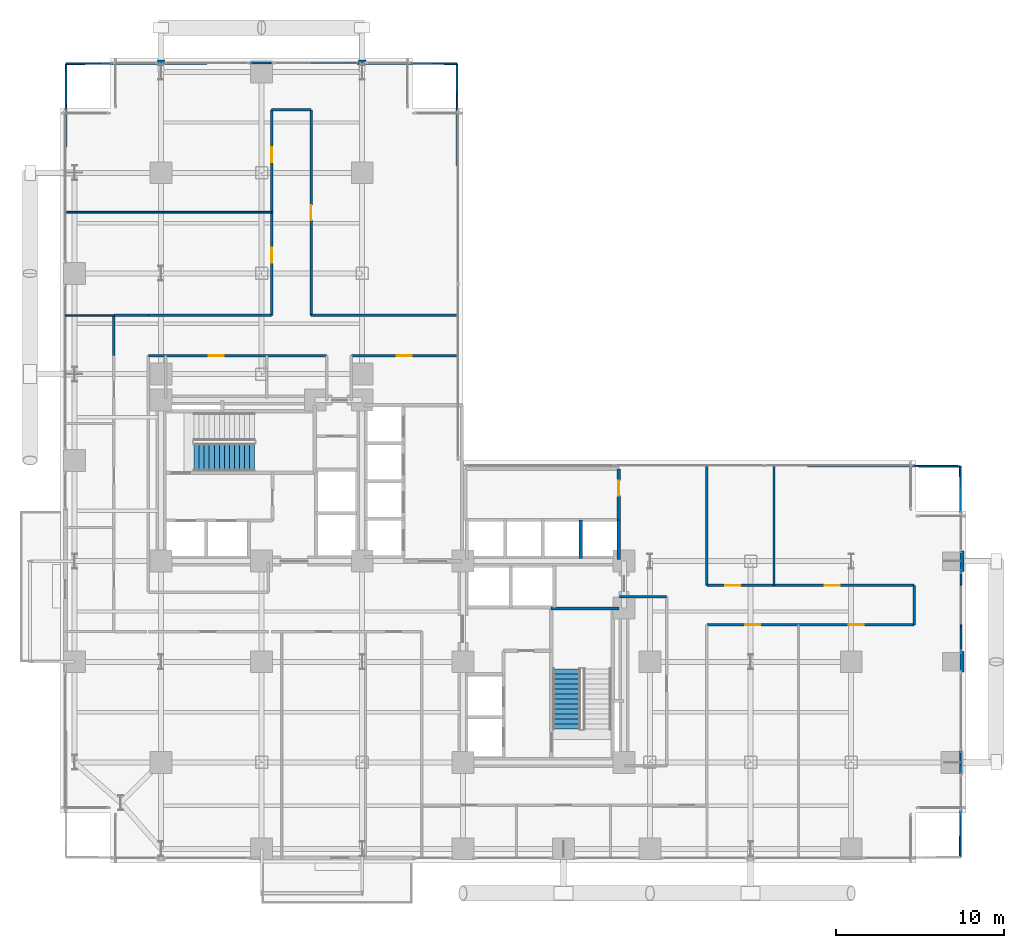
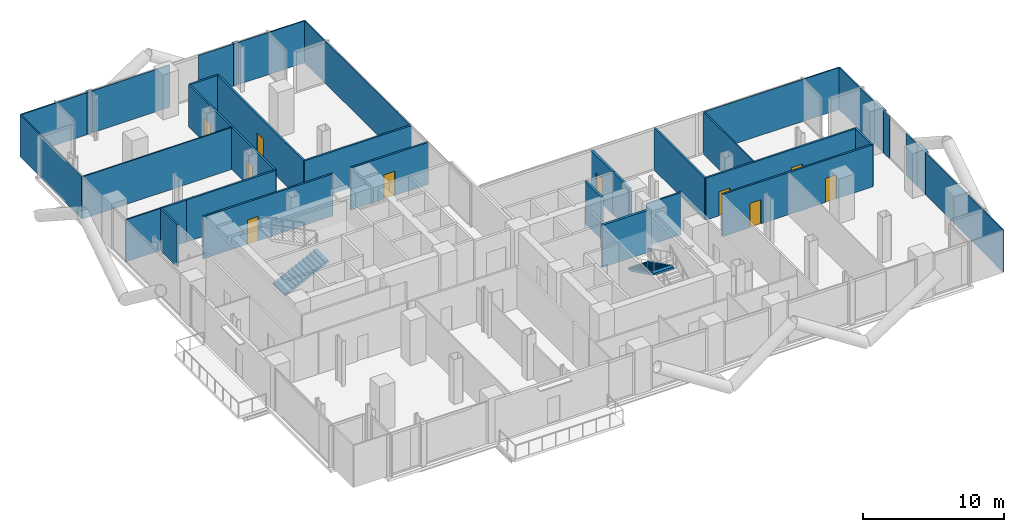
# One storey, part 22 of 25: 36 walls, 10 doors, 2 stair flights, 10 openings, 2 elements without a shape of their own.
"""IFC4 building model written with IfcOpenShell, lengths in metres."""

from ifc_helpers import new_model, si_unit, direction, frame, frame_2d, origin, place, context, subcontext, project, spatial, polyline, rectangle, outline, extrude, material, layer, layer_set, type_object, element, fill, aggregate, save


model = new_model("IFC4")

# Units and contexts
model_context = context("Model", 3, precision=1e-05, world=origin(), true_north=direction((0.0, 1.0)))
body_context = subcontext(model_context, "Body", "Model", "MODEL_VIEW")
ifc_project = project(units=[si_unit("LENGTHUNIT", "METRE"), si_unit("AREAUNIT", "SQUARE_METRE"), si_unit("VOLUMEUNIT", "CUBIC_METRE"), si_unit("PLANEANGLEUNIT", "RADIAN"), si_unit("MASSUNIT", "GRAM", prefix="KILO"), si_unit("THERMODYNAMICTEMPERATUREUNIT", "KELVIN"), si_unit("POWERUNIT", "WATT")], contexts=[model_context])

# Site, building, storey
site_placement = place(None, origin())
site = spatial("IfcSite", under=ifc_project, at=site_placement, CompositionType="ELEMENT")
building_placement = place(site_placement, origin())
building = spatial("IfcBuilding", under=site, at=building_placement, Name="Svarakhadi Broadcast Tower", CompositionType="ELEMENT")
storey_placement = place(building_placement, frame((0.0, 0.0, 32.39990234375)))
storey = spatial("IfcBuildingStorey", under=building, at=storey_placement, Name="L06", CompositionType="ELEMENT", Elevation=32.39990234375)

# Walls
ifc_material_1 = material(Name="Concrete C40/50 (IS 456 M50)", Category="concrete")
ifc_layer_1 = layer(ifc_material_1, 0.239990234375)
ifc_layer_set_1 = layer_set([ifc_layer_1], Name="Concrete C40/50 (IS 456 M50)")
wall_type_1 = type_object("IfcWallType", Name="Wall_Ext_240", PredefinedType="SOLIDWALL", material=ifc_layer_set_1)
for number, where, z_axis, x_axis, name in (
    (1, (5.784912109375, 47.760009765625, 0.0), (0.0, 0.0, 1.0), (1.0, 0.0, 0.0), "L06 Perimeter Bronze Spandrel Closure Wall 01"),
    (2, (17.784912109375, 47.760009765625, 0.0), (0.0, 0.0, 1.0), (1.0, 0.0, 0.0), "L06 Perimeter Bronze Spandrel Closure Wall 02"),
):
    element("IfcWall", number, at=place(storey_placement, frame(where, z_axis=z_axis, x_axis=x_axis)), inside=storey, type_object=wall_type_1, Name=name, PredefinedType="SOLIDWALL", context=body_context, shape_type="SweptSolid", body=[
        extrude(rectangle(XDim=0.43017578125, YDim=0.239990234375, at=frame_2d((0.215087890625, 0.0))), origin(), (0.0, 0.0, 1.0), 3.650146484375),
    ])
for number, where, z_axis, x_axis, name in (
    (3, (53.760009765625, 18.614990234375, 0.0), (0.0, 0.0, 1.0), (0.0, -1.0, 0.0), "L06 Perimeter Bronze Spandrel Closure Wall 03"),
    (4, (53.760009765625, 12.614990234375, 0.0), (0.0, 0.0, 1.0), (0.0, -1.0, 0.0), "L06 Perimeter Bronze Spandrel Closure Wall 04"),
):
    element("IfcWall", number, at=place(storey_placement, frame(where, z_axis=z_axis, x_axis=x_axis)), inside=storey, type_object=wall_type_1, Name=name, PredefinedType="SOLIDWALL", context=body_context, shape_type="SweptSolid", body=[
        extrude(rectangle(XDim=1.22998046875, YDim=0.239990234375, at=frame_2d((0.614990234375, 0.0))), origin(), (0.0, 0.0, 1.0), 3.650146484375),
    ])
ifc_material_2 = material(Name="Fire-Rated Moisture-Resistant Gypsum Board Partition", Category="gypsum")
ifc_layer_2 = layer(ifc_material_2, 0.10009765625)
ifc_layer_set_2 = layer_set([ifc_layer_2], Name="Fire-Rated Moisture-Resistant Gypsum Board Partition")
wall_type_2 = type_object("IfcWallType", Name="Wall_Part_100", PredefinedType="PARTITIONING", material=ifc_layer_set_2)
wall_1_placement = place(storey_placement, frame((53.64990234375, 0.35009765625, 0.0), z_axis=(0.0, 0.0, 1.0), x_axis=(0.003606251025, 0.999993497456, 0.0)))
element("IfcWall", 5, at=wall_1_placement, inside=storey, type_object=wall_type_2, Name="L06 Wire Service Server Room Wall", PredefinedType="PARTITIONING", context=body_context, shape_type="SweptSolid", body=[
    extrude(rectangle(XDim=11.034912109375, YDim=0.10009765625, at=frame_2d((5.517578125, 0.0))), origin(), (0.0, 0.0, 1.0), 3.650146484375),
])
wall_2_placement = place(storey_placement, frame((53.6943359375, 12.614990234375, 0.0), z_axis=(0.0, 0.0, 1.0), x_axis=(0.003542799701, 0.999993724265, 0.0)))
element("IfcWall", 6, at=wall_2_placement, inside=storey, type_object=wall_type_2, Name="L06 Wire Service Server Room Wall", PredefinedType="PARTITIONING", context=body_context, shape_type="SweptSolid", body=[
    extrude(rectangle(XDim=1.5849609375, YDim=0.10009765625, at=frame_2d((0.79248046875, 0.0))), origin(), (0.0, 0.0, 1.0), 3.650146484375),
])
wall_3_placement = place(storey_placement, frame((42.550048828125, 16.550048828125, 0.0), z_axis=(0.0, 0.0, 1.0), x_axis=(0.0, 1.0, 0.0)))
element("IfcWall", 7, at=wall_3_placement, inside=storey, type_object=wall_type_2, Name="L06 Broadcast Acoustic Booth Wall", PredefinedType="PARTITIONING", context=body_context, shape_type="SweptSolid", body=[
    extrude(rectangle(XDim=7.14990234375, YDim=0.10009765625, at=frame_2d((3.574951171875, 0.0))), origin(), (0.0, 0.0, 1.0), 3.650146484375),
])
wall_4_placement = place(storey_placement, frame((42.550048828125, 23.699951171875, 0.0), z_axis=(0.0, 0.0, 1.0), x_axis=(0.999989834782, -0.004508917104, 0.0)))
element("IfcWall", 8, at=wall_4_placement, inside=storey, type_object=wall_type_2, Name="L06 Broadcast Equipment Operations Room Wall", PredefinedType="PARTITIONING", context=body_context, shape_type="SweptSolid", body=[
    extrude(rectangle(XDim=11.099853515625, YDim=0.10009765625, at=frame_2d((5.5498046875, 0.0))), origin(), (0.0, 0.0, 1.0), 3.650146484375),
])
wall_5_placement = place(storey_placement, frame((53.699951171875, 16.550048828125, 0.0), z_axis=(0.0, 0.0, 1.0), x_axis=(-0.007017371073, 0.999975377948, 0.0)))
element("IfcWall", 9, at=wall_5_placement, inside=storey, type_object=wall_type_2, Name="L06 Broadcast Equipment Operations Room Wall", PredefinedType="PARTITIONING", context=body_context, shape_type="SweptSolid", body=[
    extrude(rectangle(XDim=0.8349609375, YDim=0.10009765625, at=frame_2d((0.41748046875, 0.0))), origin(), (0.0, 0.0, 1.0), 3.650146484375),
])
wall_6_placement = place(storey_placement, frame((53.685546875, 18.614990234375, 0.0), z_axis=(0.0, 0.0, 1.0), x_axis=(-0.007079296972, 0.999974941463, 0.0)))
element("IfcWall", 10, at=wall_6_placement, inside=storey, type_object=wall_type_2, Name="L06 Broadcast Equipment Operations Room Wall", PredefinedType="PARTITIONING", context=body_context, shape_type="SweptSolid", body=[
    extrude(rectangle(XDim=5.03515625, YDim=0.10009765625, at=frame_2d((2.517578125, 0.0))), origin(), (0.0, 0.0, 1.0), 3.650146484375),
])
wall_7_placement = place(storey_placement, frame((0.300048828125, 38.800048828125, 0.0), z_axis=(0.0, 0.0, 1.0), x_axis=(1.0, 0.0, 0.0)))
element("IfcWall", 11, at=wall_7_placement, inside=storey, type_object=wall_type_2, Name="L06 Investigative Journalism Office Wall", PredefinedType="PARTITIONING", context=body_context, shape_type="SweptSolid", body=[
    extrude(rectangle(XDim=12.300048828125, YDim=0.10009765625, at=frame_2d((6.14990234375, 0.0))), origin(), (0.0, 0.0, 1.0), 3.650146484375),
])
wall_8_placement = place(storey_placement, frame((0.35009765625, 47.64990234375, 0.0), z_axis=(0.0, 0.0, 1.0), x_axis=(0.999991644778, 0.004087832518, 0.0)))
element("IfcWall", 12, at=wall_8_placement, inside=storey, type_object=wall_type_2, Name="L06 Investigative Research Office Wall", PredefinedType="PARTITIONING", context=body_context, shape_type="SweptSolid", body=[
    extrude(rectangle(XDim=5.434814453125, YDim=0.10009765625, at=frame_2d((2.71728515625, 0.0))), origin(), (0.0, 0.0, 1.0), 3.650146484375),
])
wall_9_placement = place(storey_placement, frame((6.215087890625, 47.673828125, 0.0), z_axis=(0.0, 0.0, 1.0), x_axis=(0.999991630701, 0.004091274595, 0.0)))
element("IfcWall", 13, at=wall_9_placement, inside=storey, type_object=wall_type_2, Name="L06 Investigative Research Office Wall", PredefinedType="PARTITIONING", context=body_context, shape_type="SweptSolid", body=[
    extrude(rectangle(XDim=6.385009765625, YDim=0.10009765625, at=frame_2d((3.1923828125, 0.0))), origin(), (0.0, 0.0, 1.0), 3.650146484375),
])
wall_10_placement = place(storey_placement, frame((0.300048828125, 38.800048828125, 0.0), z_axis=(0.0, 0.0, 1.0), x_axis=(0.005655237989, 0.999984009014, 0.0)))
element("IfcWall", 14, at=wall_10_placement, inside=storey, type_object=wall_type_2, Name="L06 Investigative Research Office Wall", PredefinedType="PARTITIONING", context=body_context, shape_type="SweptSolid", body=[
    extrude(rectangle(XDim=8.85009765625, YDim=0.10009765625, at=frame_2d((4.425048828125, 0.0))), origin(), (0.0, 0.0, 1.0), 3.650146484375),
])
wall_11_placement = place(storey_placement, frame((14.949951171875, 47.699951171875, 0.0), z_axis=(0.0, 0.0, 1.0), x_axis=(0.999983354582, -0.005769797172, 0.0)))
element("IfcWall", 15, at=wall_11_placement, inside=storey, type_object=wall_type_2, Name="L06 Broadcast Assignment Hub Wall", PredefinedType="PARTITIONING", context=body_context, shape_type="SweptSolid", body=[
    extrude(rectangle(XDim=2.8349609375, YDim=0.10009765625, at=frame_2d((1.41748046875, 0.0))), origin(), (0.0, 0.0, 1.0), 3.650146484375),
])
wall_12_placement = place(storey_placement, frame((18.215087890625, 47.68115234375, 0.0), z_axis=(0.0, 0.0, 1.0), x_axis=(0.999983469354, -0.005749871258, 0.0)))
element("IfcWall", 16, at=wall_12_placement, inside=storey, type_object=wall_type_2, Name="L06 Broadcast Assignment Hub Wall", PredefinedType="PARTITIONING", context=body_context, shape_type="SweptSolid", body=[
    extrude(rectangle(XDim=5.434814453125, YDim=0.10009765625, at=frame_2d((2.71728515625, 0.0))), origin(), (0.0, 0.0, 1.0), 3.650146484375),
])
wall_13_placement = place(storey_placement, frame((23.699951171875, 32.64990234375, 0.0), z_axis=(0.0, 0.0, 1.0), x_axis=(-0.003336569969, 0.999994433635, 0.0)))
element("IfcWall", 17, at=wall_13_placement, inside=storey, type_object=wall_type_2, Name="L06 Broadcast Assignment Hub Wall", PredefinedType="PARTITIONING", context=body_context, shape_type="SweptSolid", body=[
    extrude(rectangle(XDim=15.0, YDim=0.10009765625, at=frame_2d((7.5, 0.0))), origin(), (0.0, 0.0, 1.0), 3.650146484375),
])
wall_14_placement = place(storey_placement, frame((0.300048828125, 32.64990234375, 0.0), z_axis=(0.0, 0.0, 1.0), x_axis=(1.0, 0.0, 0.0)))
element("IfcWall", 18, at=wall_14_placement, inside=storey, type_object=wall_type_2, Name="L06 Producer Quiet Lounge Wall", PredefinedType="PARTITIONING", context=body_context, shape_type="SweptSolid", body=[
    extrude(rectangle(XDim=2.89990234375, YDim=0.10009765625, at=frame_2d((1.449951171875, 0.0))), origin(), (0.0, 0.0, 1.0), 3.650146484375),
])
ifc_material_3 = material(Name="Autoclaved Aerated Concrete Blockwork 150 mm", Category="masonry")
ifc_layer_3 = layer(ifc_material_3, 0.14990234375)
ifc_layer_set_3 = layer_set([ifc_layer_3], Name="Autoclaved Aerated Concrete Blockwork 150 mm")
wall_type_3 = type_object("IfcWallType", Name="Wall_Part_150", PredefinedType="PARTITIONING", material=ifc_layer_set_3)
wall_15_placement = place(storey_placement, frame((36.14990234375, 15.8798828125, 0.0), z_axis=(0.0, 0.0, 1.0), x_axis=(-1.0, 0.0, 0.0)))
element("IfcWall", 19, at=wall_15_placement, inside=storey, type_object=wall_type_3, Name="L06 Broadcast Corridor Wall", PredefinedType="PARTITIONING", context=body_context, shape_type="SweptSolid", body=[
    extrude(rectangle(XDim=2.809814453125, YDim=0.14990234375, at=frame_2d((1.40478515625, 0.0))), origin(), (0.0, 0.0, 1.0), 3.650146484375),
])
wall_16_placement = place(storey_placement, frame((38.550048828125, 23.699951171875, 0.0), z_axis=(0.0, 0.0, 1.0), x_axis=(0.0, -1.0, 0.0)))
element("IfcWall", 20, at=wall_16_placement, inside=storey, type_object=wall_type_3, Name="L06 Broadcast Corridor Wall", PredefinedType="PARTITIONING", context=body_context, shape_type="SweptSolid", body=[
    extrude(rectangle(XDim=7.14990234375, YDim=0.14990234375, at=frame_2d((3.574951171875, 0.0))), origin(), (0.0, 0.0, 1.0), 3.650146484375),
])

# Wall, openings, doors
wall_17_placement = place(storey_placement, frame((38.550048828125, 16.550048828125, 0.0), z_axis=(0.0, 0.0, 1.0), x_axis=(1.0, 0.0, 0.0)))
wall_17 = element("IfcWall", 21, at=wall_17_placement, inside=storey, type_object=wall_type_3, Name="L06 Broadcast Corridor Wall", PredefinedType="PARTITIONING", context=body_context, shape_type="SweptSolid", body=[
    extrude(rectangle(XDim=12.349853515625, YDim=0.14990234375, at=frame_2d((6.1748046875, 0.0))), origin(), (0.0, 0.0, 1.0), 3.650146484375),
])
opening_1_placement = place(wall_17_placement, frame((1.080078125, 0.0, 0.0)))
opening_1 = element("IfcOpeningElement", 22, at=opening_1_placement, cuts=wall_17, Name="Opening D-15", PredefinedType="OPENING", context=body_context, shape_type="SweptSolid", body=[
    extrude(rectangle(XDim=0.89990234375, YDim=2.10009765625, at=frame_2d((0.449951171875, 1.050048828125))), frame((0.0, 0.0849609375, 0.0), z_axis=(0.0, -1.0, 0.0), x_axis=(1.0, 0.0, 0.0)), (0.0, 0.0, 1.0), 0.169921875),
])
opening_2_placement = place(wall_17_placement, frame((7.030029296875, 0.0, 0.0)))
opening_2 = element("IfcOpeningElement", 23, at=opening_2_placement, cuts=wall_17, Name="Opening D-14", PredefinedType="OPENING", context=body_context, shape_type="SweptSolid", body=[
    extrude(rectangle(XDim=0.89990234375, YDim=2.10009765625, at=frame_2d((0.449951171875, 1.050048828125))), frame((0.0, 0.0849609375, 0.0), z_axis=(0.0, -1.0, 0.0), x_axis=(1.0, 0.0, 0.0)), (0.0, 0.0, 1.0), 0.169921875),
])
ifc_material_4 = material(Name="Solid-Core Teak Veneer Acoustic Timber Leaf", Category="wood")
door_type_1 = type_object("IfcDoorType", Name="Door_Int_D14", OperationType="SINGLE_SWING_LEFT", PredefinedType="DOOR", material=ifc_material_4)
door_1_placement = place(opening_2_placement, origin())
door_1 = element("IfcDoor", 24, at=door_1_placement, inside=storey, type_object=door_type_1, Name="L06 Broadcast Equipment Operations Room Door", OperationType="SINGLE_SWING_LEFT", OverallHeight=2.10009765625, OverallWidth=0.89990234375, PredefinedType="DOOR", context=body_context, shape_type="SweptSolid", body=[
    extrude(rectangle(XDim=0.89990234375, YDim=2.10009765625, at=frame_2d((0.449951171875, 1.050048828125))), frame((0.0, 0.02490234375, 0.0), z_axis=(0.0, -1.0, 0.0), x_axis=(1.0, 0.0, 0.0)), (0.0, 0.0, 1.0), 0.050048828125),
])
fill(opening_2, door_1)
door_type_2 = type_object("IfcDoorType", Name="Door_Int_D15", OperationType="SINGLE_SWING_RIGHT", PredefinedType="DOOR", material=ifc_material_4)
door_2_placement = place(opening_1_placement, origin())
door_2 = element("IfcDoor", 25, at=door_2_placement, inside=storey, type_object=door_type_2, Name="L06 Broadcast Acoustic Booth Door", OperationType="SINGLE_SWING_RIGHT", OverallHeight=2.10009765625, OverallWidth=0.89990234375, PredefinedType="DOOR", context=body_context, shape_type="SweptSolid", body=[
    extrude(rectangle(XDim=0.89990234375, YDim=2.10009765625, at=frame_2d((0.449951171875, 1.050048828125))), frame((0.0, 0.02490234375, 0.0), z_axis=(0.0, -1.0, 0.0), x_axis=(1.0, 0.0, 0.0)), (0.0, 0.0, 1.0), 0.050048828125),
])
fill(opening_1, door_2)

# Wall
wall_18_placement = place(storey_placement, frame((50.89990234375, 16.550048828125, 0.0), z_axis=(0.0, 0.0, 1.0), x_axis=(0.0, -1.0, 0.0)))
element("IfcWall", 26, at=wall_18_placement, inside=storey, type_object=wall_type_3, Name="L06 Broadcast Corridor Wall", PredefinedType="PARTITIONING", context=body_context, shape_type="SweptSolid", body=[
    extrude(rectangle(XDim=2.35009765625, YDim=0.14990234375, at=frame_2d((1.175048828125, 0.0))), origin(), (0.0, 0.0, 1.0), 3.650146484375),
])

# Wall, openings, doors
wall_19_placement = place(storey_placement, frame((50.89990234375, 14.199951171875, 0.0), z_axis=(0.0, 0.0, 1.0), x_axis=(-1.0, 0.0, 0.0)))
wall_19 = element("IfcWall", 27, at=wall_19_placement, inside=storey, type_object=wall_type_3, Name="L06 Broadcast Corridor Wall", PredefinedType="PARTITIONING", context=body_context, shape_type="SweptSolid", body=[
    extrude(rectangle(XDim=12.349853515625, YDim=0.14990234375, at=frame_2d((6.1748046875, 0.0))), origin(), (0.0, 0.0, 1.0), 3.650146484375),
])
opening_3_placement = place(wall_19_placement, frame((9.175048828125, 0.0, 0.0)))
opening_3 = element("IfcOpeningElement", 28, at=opening_3_placement, cuts=wall_19, Name="Opening D-15", PredefinedType="OPENING", context=body_context, shape_type="SweptSolid", body=[
    extrude(rectangle(XDim=0.89990234375, YDim=2.10009765625, at=frame_2d((0.449951171875, 1.050048828125))), frame((0.0, 0.0849609375, 0.0), z_axis=(0.0, -1.0, 0.0), x_axis=(1.0, 0.0, 0.0)), (0.0, 0.0, 1.0), 0.169921875),
])
opening_4_placement = place(wall_19_placement, frame((3.0, 0.0, 0.0)))
opening_4 = element("IfcOpeningElement", 29, at=opening_4_placement, cuts=wall_19, Name="Opening D-14", PredefinedType="OPENING", context=body_context, shape_type="SweptSolid", body=[
    extrude(rectangle(XDim=0.89990234375, YDim=2.10009765625, at=frame_2d((0.449951171875, 1.050048828125))), frame((0.0, 0.0849609375, 0.0), z_axis=(0.0, -1.0, 0.0), x_axis=(1.0, 0.0, 0.0)), (0.0, 0.0, 1.0), 0.169921875),
])
door_3_placement = place(opening_4_placement, origin())
door_3 = element("IfcDoor", 30, at=door_3_placement, inside=storey, type_object=door_type_1, Name="L06 Wire Service Server Room Door", OperationType="SINGLE_SWING_LEFT", OverallHeight=2.10009765625, OverallWidth=0.89990234375, PredefinedType="DOOR", context=body_context, shape_type="SweptSolid", body=[
    extrude(rectangle(XDim=0.89990234375, YDim=2.10009765625, at=frame_2d((0.449951171875, 1.050048828125))), frame((0.0, 0.02490234375, 0.0), z_axis=(0.0, -1.0, 0.0), x_axis=(1.0, 0.0, 0.0)), (0.0, 0.0, 1.0), 0.050048828125),
])
fill(opening_4, door_3)
door_4_placement = place(opening_3_placement, origin())
door_4 = element("IfcDoor", 31, at=door_4_placement, inside=storey, type_object=door_type_2, Name="L06 Waterfront International News Desk Door", OperationType="SINGLE_SWING_RIGHT", OverallHeight=2.10009765625, OverallWidth=0.89990234375, PredefinedType="DOOR", context=body_context, shape_type="SweptSolid", body=[
    extrude(rectangle(XDim=0.89990234375, YDim=2.10009765625, at=frame_2d((0.449951171875, 1.050048828125))), frame((0.0, 0.02490234375, 0.0), z_axis=(0.0, -1.0, 0.0), x_axis=(1.0, 0.0, 0.0)), (0.0, 0.0, 1.0), 0.050048828125),
])
fill(opening_3, door_4)

# Walls
wall_20_placement = place(storey_placement, frame((3.199951171875, 30.25, 0.0), z_axis=(0.0, 0.0, 1.0), x_axis=(0.0, 1.0, 0.0)))
element("IfcWall", 32, at=wall_20_placement, inside=storey, type_object=wall_type_3, Name="L06 Broadcast Corridor Wall", PredefinedType="PARTITIONING", context=body_context, shape_type="SweptSolid", body=[
    extrude(rectangle(XDim=2.39990234375, YDim=0.14990234375, at=frame_2d((1.199951171875, 0.0))), origin(), (0.0, 0.0, 1.0), 3.650146484375),
])
wall_21_placement = place(storey_placement, frame((3.199951171875, 32.64990234375, 0.0), z_axis=(0.0, 0.0, 1.0), x_axis=(1.0, 0.0, 0.0)))
element("IfcWall", 33, at=wall_21_placement, inside=storey, type_object=wall_type_3, Name="L06 Broadcast Corridor Wall", PredefinedType="PARTITIONING", context=body_context, shape_type="SweptSolid", body=[
    extrude(rectangle(XDim=2.050048828125, YDim=0.14990234375, at=frame_2d((1.02490234375, 0.0))), origin(), (0.0, 0.0, 1.0), 3.650146484375),
])
wall_22_placement = place(storey_placement, frame((5.25, 32.64990234375, 0.0), z_axis=(0.0, 0.0, 1.0), x_axis=(1.0, 0.0, 0.0)))
element("IfcWall", 34, at=wall_22_placement, inside=storey, type_object=wall_type_3, Name="L06 Broadcast Corridor Wall", PredefinedType="PARTITIONING", context=body_context, shape_type="SweptSolid", body=[
    extrude(rectangle(XDim=7.35009765625, YDim=0.14990234375, at=frame_2d((3.675048828125, 0.0))), origin(), (0.0, 0.0, 1.0), 3.650146484375),
])

# Wall, openings, doors
wall_23_placement = place(storey_placement, frame((12.60009765625, 32.64990234375, 0.0), z_axis=(0.0, 0.0, 1.0), x_axis=(0.0, 1.0, 0.0)))
wall_23 = element("IfcWall", 35, at=wall_23_placement, inside=storey, type_object=wall_type_3, Name="L06 Broadcast Corridor Wall", PredefinedType="PARTITIONING", context=body_context, shape_type="SweptSolid", body=[
    extrude(rectangle(XDim=12.25, YDim=0.14990234375, at=frame_2d((6.125, 0.0))), origin(), (0.0, 0.0, 1.0), 3.650146484375),
])
opening_5_placement = place(wall_23_placement, frame((3.1298828125, 0.0, 0.0)))
opening_5 = element("IfcOpeningElement", 36, at=opening_5_placement, cuts=wall_23, Name="Opening D-15", PredefinedType="OPENING", context=body_context, shape_type="SweptSolid", body=[
    extrude(rectangle(XDim=0.89990234375, YDim=2.10009765625, at=frame_2d((0.449951171875, 1.050048828125))), frame((0.0, 0.0849609375, 0.0), z_axis=(0.0, -1.0, 0.0), x_axis=(1.0, 0.0, 0.0)), (0.0, 0.0, 1.0), 0.169921875),
])
opening_6_placement = place(wall_23_placement, frame((9.1298828125, 0.0, 0.0)))
opening_6 = element("IfcOpeningElement", 37, at=opening_6_placement, cuts=wall_23, Name="Opening D-15", PredefinedType="OPENING", context=body_context, shape_type="SweptSolid", body=[
    extrude(rectangle(XDim=0.89990234375, YDim=2.10009765625, at=frame_2d((0.449951171875, 1.050048828125))), frame((0.0, 0.0849609375, 0.0), z_axis=(0.0, -1.0, 0.0), x_axis=(1.0, 0.0, 0.0)), (0.0, 0.0, 1.0), 0.169921875),
])
door_5_placement = place(opening_5_placement, origin())
door_5 = element("IfcDoor", 38, at=door_5_placement, inside=storey, type_object=door_type_2, Name="L06 Investigative Journalism Office Door", OperationType="SINGLE_SWING_RIGHT", OverallHeight=2.10009765625, OverallWidth=0.89990234375, PredefinedType="DOOR", context=body_context, shape_type="SweptSolid", body=[
    extrude(rectangle(XDim=0.89990234375, YDim=2.10009765625, at=frame_2d((0.449951171875, 1.050048828125))), frame((0.0, 0.02490234375, 0.0), z_axis=(0.0, -1.0, 0.0), x_axis=(1.0, 0.0, 0.0)), (0.0, 0.0, 1.0), 0.050048828125),
])
fill(opening_5, door_5)
door_6_placement = place(opening_6_placement, origin())
door_6 = element("IfcDoor", 39, at=door_6_placement, inside=storey, type_object=door_type_2, Name="L06 Investigative Research Office Door", OperationType="SINGLE_SWING_RIGHT", OverallHeight=2.10009765625, OverallWidth=0.89990234375, PredefinedType="DOOR", context=body_context, shape_type="SweptSolid", body=[
    extrude(rectangle(XDim=0.89990234375, YDim=2.10009765625, at=frame_2d((0.449951171875, 1.050048828125))), frame((0.0, 0.02490234375, 0.0), z_axis=(0.0, -1.0, 0.0), x_axis=(1.0, 0.0, 0.0)), (0.0, 0.0, 1.0), 0.050048828125),
])
fill(opening_6, door_6)

# Wall
wall_24_placement = place(storey_placement, frame((12.60009765625, 44.89990234375, 0.0), z_axis=(0.0, 0.0, 1.0), x_axis=(1.0, 0.0, 0.0)))
element("IfcWall", 40, at=wall_24_placement, inside=storey, type_object=wall_type_3, Name="L06 Broadcast Corridor Wall", PredefinedType="PARTITIONING", context=body_context, shape_type="SweptSolid", body=[
    extrude(rectangle(XDim=2.349853515625, YDim=0.14990234375, at=frame_2d((1.1748046875, 0.0))), origin(), (0.0, 0.0, 1.0), 3.650146484375),
])

# Wall, opening, door
wall_25_placement = place(storey_placement, frame((14.949951171875, 44.89990234375, 0.0), z_axis=(0.0, 0.0, 1.0), x_axis=(0.0, -1.0, 0.0)))
wall_25 = element("IfcWall", 41, at=wall_25_placement, inside=storey, type_object=wall_type_3, Name="L06 Broadcast Corridor Wall", PredefinedType="PARTITIONING", context=body_context, shape_type="SweptSolid", body=[
    extrude(rectangle(XDim=12.25, YDim=0.14990234375, at=frame_2d((6.125, 0.0))), origin(), (0.0, 0.0, 1.0), 3.650146484375),
])
opening_7_placement = place(wall_25_placement, frame((5.675048828125, 0.0, 0.0)))
opening_7 = element("IfcOpeningElement", 42, at=opening_7_placement, cuts=wall_25, Name="Opening D-14", PredefinedType="OPENING", context=body_context, shape_type="SweptSolid", body=[
    extrude(rectangle(XDim=0.89990234375, YDim=2.10009765625, at=frame_2d((0.449951171875, 1.050048828125))), frame((0.0, 0.0849609375, 0.0), z_axis=(0.0, -1.0, 0.0), x_axis=(1.0, 0.0, 0.0)), (0.0, 0.0, 1.0), 0.169921875),
])
door_7_placement = place(opening_7_placement, origin())
door_7 = element("IfcDoor", 43, at=door_7_placement, inside=storey, type_object=door_type_1, Name="L06 Broadcast Assignment Hub Door", OperationType="SINGLE_SWING_LEFT", OverallHeight=2.10009765625, OverallWidth=0.89990234375, PredefinedType="DOOR", context=body_context, shape_type="SweptSolid", body=[
    extrude(rectangle(XDim=0.89990234375, YDim=2.10009765625, at=frame_2d((0.449951171875, 1.050048828125))), frame((0.0, 0.02490234375, 0.0), z_axis=(0.0, -1.0, 0.0), x_axis=(1.0, 0.0, 0.0)), (0.0, 0.0, 1.0), 0.050048828125),
])
fill(opening_7, door_7)

# Wall
wall_26_placement = place(storey_placement, frame((14.949951171875, 32.64990234375, 0.0), z_axis=(0.0, 0.0, 1.0), x_axis=(1.0, 0.0, 0.0)))
element("IfcWall", 44, at=wall_26_placement, inside=storey, type_object=wall_type_3, Name="L06 Broadcast Corridor Wall", PredefinedType="PARTITIONING", context=body_context, shape_type="SweptSolid", body=[
    extrude(rectangle(XDim=8.75, YDim=0.14990234375, at=frame_2d((4.375, 0.0))), origin(), (0.0, 0.0, 1.0), 3.650146484375),
])

# Wall, opening, door
wall_27_placement = place(storey_placement, frame((23.699951171875, 30.25, 0.0), z_axis=(0.0, 0.0, 1.0), x_axis=(-1.0, 0.0, 0.0)))
wall_27 = element("IfcWall", 45, at=wall_27_placement, inside=storey, type_object=wall_type_3, Name="L06 Broadcast Corridor Wall", PredefinedType="PARTITIONING", context=body_context, shape_type="SweptSolid", body=[
    extrude(rectangle(XDim=6.349853515625, YDim=0.14990234375, at=frame_2d((3.1748046875, 0.0))), origin(), (0.0, 0.0, 1.0), 3.650146484375),
])
opening_8_placement = place(wall_27_placement, frame((2.75, 0.0, 0.0)))
opening_8 = element("IfcOpeningElement", 46, at=opening_8_placement, cuts=wall_27, Name="Opening D-15", PredefinedType="OPENING", context=body_context, shape_type="SweptSolid", body=[
    extrude(rectangle(XDim=0.89990234375, YDim=2.10009765625, at=frame_2d((0.449951171875, 1.050048828125))), frame((0.0, 0.0849609375, 0.0), z_axis=(0.0, -1.0, 0.0), x_axis=(1.0, 0.0, 0.0)), (0.0, 0.0, 1.0), 0.169921875),
])
door_8_placement = place(opening_8_placement, origin())
door_8 = element("IfcDoor", 47, at=door_8_placement, inside=storey, type_object=door_type_2, Name="L06 Production Continuity Office Door", OperationType="SINGLE_SWING_RIGHT", OverallHeight=2.10009765625, OverallWidth=0.89990234375, PredefinedType="DOOR", context=body_context, shape_type="SweptSolid", body=[
    extrude(rectangle(XDim=0.89990234375, YDim=2.10009765625, at=frame_2d((0.449951171875, 1.050048828125))), frame((0.0, 0.02490234375, 0.0), z_axis=(0.0, -1.0, 0.0), x_axis=(1.0, 0.0, 0.0)), (0.0, 0.0, 1.0), 0.050048828125),
])
fill(opening_8, door_8)

wall_28_placement = place(storey_placement, frame((15.8798828125, 30.25, 0.0), z_axis=(0.0, 0.0, 1.0), x_axis=(-1.0, 0.0, 0.0)))
wall_28 = element("IfcWall", 48, at=wall_28_placement, inside=storey, type_object=wall_type_3, Name="L06 Broadcast Corridor Wall", PredefinedType="PARTITIONING", context=body_context, shape_type="SweptSolid", body=[
    extrude(rectangle(XDim=10.6298828125, YDim=0.14990234375, at=frame_2d((5.31494140625, 0.0))), origin(), (0.0, 0.0, 1.0), 3.650146484375),
])
opening_9_placement = place(wall_28_placement, frame((6.1298828125, 0.0, 0.0)))
opening_9 = element("IfcOpeningElement", 49, at=opening_9_placement, cuts=wall_28, Name="Opening D-12", PredefinedType="OPENING", context=body_context, shape_type="SweptSolid", body=[
    extrude(rectangle(XDim=0.89990234375, YDim=2.10009765625, at=frame_2d((0.449951171875, 1.050048828125))), frame((0.0, 0.0849609375, 0.0), z_axis=(0.0, -1.0, 0.0), x_axis=(1.0, 0.0, 0.0)), (0.0, 0.0, 1.0), 0.169921875),
])
door_type_3 = type_object("IfcDoorType", Name="Door_WC_D01", OperationType="SINGLE_SWING_LEFT", PredefinedType="DOOR", material=ifc_material_4)
door_9_placement = place(opening_9_placement, origin())
door_9 = element("IfcDoor", 50, at=door_9_placement, inside=storey, type_object=door_type_3, Name="L06 Accessible Toilet WC Door", OperationType="SINGLE_SWING_LEFT", OverallHeight=2.10009765625, OverallWidth=0.89990234375, PredefinedType="DOOR", context=body_context, shape_type="SweptSolid", body=[
    extrude(rectangle(XDim=0.89990234375, YDim=2.10009765625, at=frame_2d((0.449951171875, 1.050048828125))), frame((0.0, 0.02490234375, 0.0), z_axis=(0.0, -1.0, 0.0), x_axis=(1.0, 0.0, 0.0)), (0.0, 0.0, 1.0), 0.050048828125),
])
fill(opening_9, door_9)

# Walls
ifc_material_5 = material(Name="Concrete C50/60 (IS 456 M60)", Category="concrete")
ifc_layer_4 = layer(ifc_material_5, 0.199951171875)
ifc_layer_set_4 = layer_set([ifc_layer_4], Name="Concrete C50/60 (IS 456 M60)")
wall_type_4 = type_object("IfcWallType", Name="Wall_Shear_200", PredefinedType="SHEAR", material=ifc_layer_set_4)
wall_29_placement = place(storey_placement, frame((29.260009765625, 15.179931640625, 0.0), z_axis=(0.0, 0.0, 1.0), x_axis=(1.0, 0.0, 0.0)))
element("IfcWall", 51, at=wall_29_placement, inside=storey, type_object=wall_type_4, Name="L06 Stair ST-02 North RC Shaft Wall", PredefinedType="SHEAR", context=body_context, shape_type="SweptSolid", body=[
    extrude(rectangle(XDim=4.0400390625, YDim=0.199951171875, at=frame_2d((2.02001953125, 0.0))), origin(), (0.0, 0.0, 1.0), 3.650146484375),
])
wall_30_placement = place(storey_placement, frame((33.300048828125, 18.10009765625, 0.0), z_axis=(0.0, 0.0, 1.0), x_axis=(0.0, 1.0, 0.0)))
element("IfcWall", 52, at=wall_30_placement, inside=storey, type_object=wall_type_4, Name="L06 Bank B East Shaft Wall", PredefinedType="SHEAR", context=body_context, shape_type="SweptSolid", body=[
    extrude(rectangle(XDim=2.349853515625, YDim=0.199951171875, at=frame_2d((1.1748046875, 0.0))), origin(), (0.0, 0.0, 1.0), 3.650146484375),
])
wall_31_placement = place(storey_placement, frame((31.02001953125, 18.14990234375, 0.0), z_axis=(0.0, 0.0, 1.0), x_axis=(0.0, 1.0, 0.0)))
element("IfcWall", 53, at=wall_31_placement, inside=storey, type_object=wall_type_4, Name="L06 Bank B Divider", PredefinedType="SHEAR", context=body_context, shape_type="SweptSolid", body=[
    extrude(rectangle(XDim=2.300048828125, YDim=0.199951171875, at=frame_2d((1.14990234375, 0.0))), origin(), (0.0, 0.0, 1.0), 3.650146484375),
])

# Wall, opening, door
wall_32_placement = place(storey_placement, frame((33.300048828125, 20.449951171875, 0.0), z_axis=(0.0, 0.0, 1.0), x_axis=(0.0, 1.0, 0.0)))
wall_32 = element("IfcWall", 54, at=wall_32_placement, inside=storey, type_object=wall_type_4, Name="L06 Bank B Lift Hall East Wall", PredefinedType="SHEAR", context=body_context, shape_type="SweptSolid", body=[
    extrude(rectangle(XDim=3.050048828125, YDim=0.199951171875, at=frame_2d((1.52490234375, 0.0))), origin(), (0.0, 0.0, 1.0), 3.650146484375),
])
opening_10_placement = place(wall_32_placement, frame((1.449951171875, 0.0, 0.0)))
opening_10 = element("IfcOpeningElement", 55, at=opening_10_placement, cuts=wall_32, Name="Opening D-04", PredefinedType="OPENING", context=body_context, shape_type="SweptSolid", body=[
    extrude(rectangle(XDim=0.89990234375, YDim=2.14990234375, at=frame_2d((0.449951171875, 1.074951171875))), frame((0.0, 0.10986328125, 0.0), z_axis=(0.0, -1.0, 0.0), x_axis=(1.0, 0.0, 0.0)), (0.0, 0.0, 1.0), 0.219970703125),
])
ifc_material_6 = material(Name="Galvanised Powder-Coated Fire-Rated Steel Leaf", Category="steel")
door_type_4 = type_object("IfcDoorType", Name="Door_Fire_D04", OperationType="SINGLE_SWING_RIGHT", PredefinedType="DOOR", material=ifc_material_6)
door_10_placement = place(opening_10_placement, origin())
door_10 = element("IfcDoor", 56, at=door_10_placement, inside=storey, type_object=door_type_4, Name="L06 Mid-Rise Lift Hall East Corridor Door", OperationType="SINGLE_SWING_RIGHT", OverallHeight=2.14990234375, OverallWidth=0.89990234375, PredefinedType="DOOR", context=body_context, shape_type="SweptSolid", body=[
    extrude(rectangle(XDim=0.89990234375, YDim=2.14990234375, at=frame_2d((0.449951171875, 1.074951171875))), frame((0.0, 0.02490234375, 0.0), z_axis=(0.0, -1.0, 0.0), x_axis=(1.0, 0.0, 0.0)), (0.0, 0.0, 1.0), 0.050048828125),
])
fill(opening_10, door_10)

# Stair, stair flight
stair_type = type_object("IfcStairType", Name="Stair_Exit_Core", PredefinedType="HALF_TURN_STAIR", material=ifc_material_1)
stair_1_placement = place(storey_placement, origin())
stair_1 = element("IfcStair", 57, at=stair_1_placement, inside=storey, type_object=stair_type, Name="L06 West Core Protected Exit Stair ST-01", PredefinedType="HALF_TURN_STAIR")
stair_flight_type = type_object("IfcStairFlightType", Name="Flight_RC_1680", PredefinedType="STRAIGHT", material=ifc_material_1)
stair_flight_1_placement = place(storey_placement, frame((7.97998046875, 24.18994140625, 0.0), z_axis=(0.0, 0.0, 1.0), x_axis=(1.0, 0.0, 0.0)))
stair_flight_1 = element("IfcStairFlight", 58, at=stair_flight_1_placement, type_object=stair_flight_type, Name="ST-01 flight 1", NumberOfRisers=13, NumberOfTreads=12, PredefinedType="STRAIGHT", RiserHeight=0.15, TreadLength=0.3, context=body_context, shape_type="SweptSolid", body=[
    extrude(outline(polyline([(0.0, 0.0), (0.0, 0.14990234375), (0.300048828125, 0.14990234375), (0.300048828125, 0.300048828125), (0.60009765625, 0.300048828125), (0.60009765625, 0.449951171875), (0.89990234375, 0.449951171875), (0.89990234375, 0.60009765625), (1.199951171875, 0.60009765625), (1.199951171875, 0.75), (1.5, 0.75), (1.5, 0.89990234375), (1.800048828125, 0.89990234375), (1.800048828125, 1.050048828125), (2.10009765625, 1.050048828125), (2.10009765625, 1.199951171875), (2.39990234375, 1.199951171875), (2.39990234375, 1.35009765625), (2.699951171875, 1.35009765625), (2.699951171875, 1.5), (3.0, 1.5), (3.0, 1.64990234375), (3.300048828125, 1.64990234375), (3.300048828125, 1.800048828125), (3.60009765625, 1.800048828125), (3.60009765625, 1.949951171875), (3.60009765625, 1.63232421875), (0.335205078125, 0.0), (0.0, 0.0)])), frame((0.0, 0.830078125, 0.0), z_axis=(0.0, -1.0, 0.0), x_axis=(1.0, 0.0, 0.0)), (0.0, 0.0, 1.0), 1.659912109375),
])
aggregate(stair_1, [stair_flight_1])

stair_2_placement = place(storey_placement, origin())
stair_2 = element("IfcStair", 59, at=stair_2_placement, inside=storey, type_object=stair_type, Name="L06 East Core Protected Exit Stair ST-02", PredefinedType="HALF_TURN_STAIR")
stair_flight_2_placement = place(storey_placement, frame((30.18994140625, 11.580078125, 1.9501953125), z_axis=(0.0, 0.0, 1.0), x_axis=(0.0, -1.0, 0.0)))
stair_flight_2 = element("IfcStairFlight", 60, at=stair_flight_2_placement, type_object=stair_flight_type, Name="ST-02 flight 2", NumberOfRisers=13, NumberOfTreads=12, PredefinedType="STRAIGHT", RiserHeight=0.15, TreadLength=0.3, context=body_context, shape_type="SweptSolid", body=[
    extrude(outline(polyline([(0.0, 0.0), (0.0, 0.14990234375), (0.300048828125, 0.14990234375), (0.300048828125, 0.300048828125), (0.60009765625, 0.300048828125), (0.60009765625, 0.449951171875), (0.89990234375, 0.449951171875), (0.89990234375, 0.60009765625), (1.199951171875, 0.60009765625), (1.199951171875, 0.75), (1.5, 0.75), (1.5, 0.89990234375), (1.800048828125, 0.89990234375), (1.800048828125, 1.050048828125), (2.10009765625, 1.050048828125), (2.10009765625, 1.199951171875), (2.39990234375, 1.199951171875), (2.39990234375, 1.35009765625), (2.699951171875, 1.35009765625), (2.699951171875, 1.5), (3.0, 1.5), (3.0, 1.64990234375), (3.300048828125, 1.64990234375), (3.300048828125, 1.800048828125), (3.60009765625, 1.800048828125), (3.60009765625, 1.949951171875), (3.60009765625, 1.63232421875), (0.335205078125, 0.0), (0.0, 0.0)])), frame((0.0, 0.830078125, 0.0), z_axis=(0.0, -1.0, 0.0), x_axis=(1.0, 0.0, 0.0)), (0.0, 0.0, 1.0), 1.659912109375),
])
aggregate(stair_2, [stair_flight_2])

save(model, "model.ifc")
